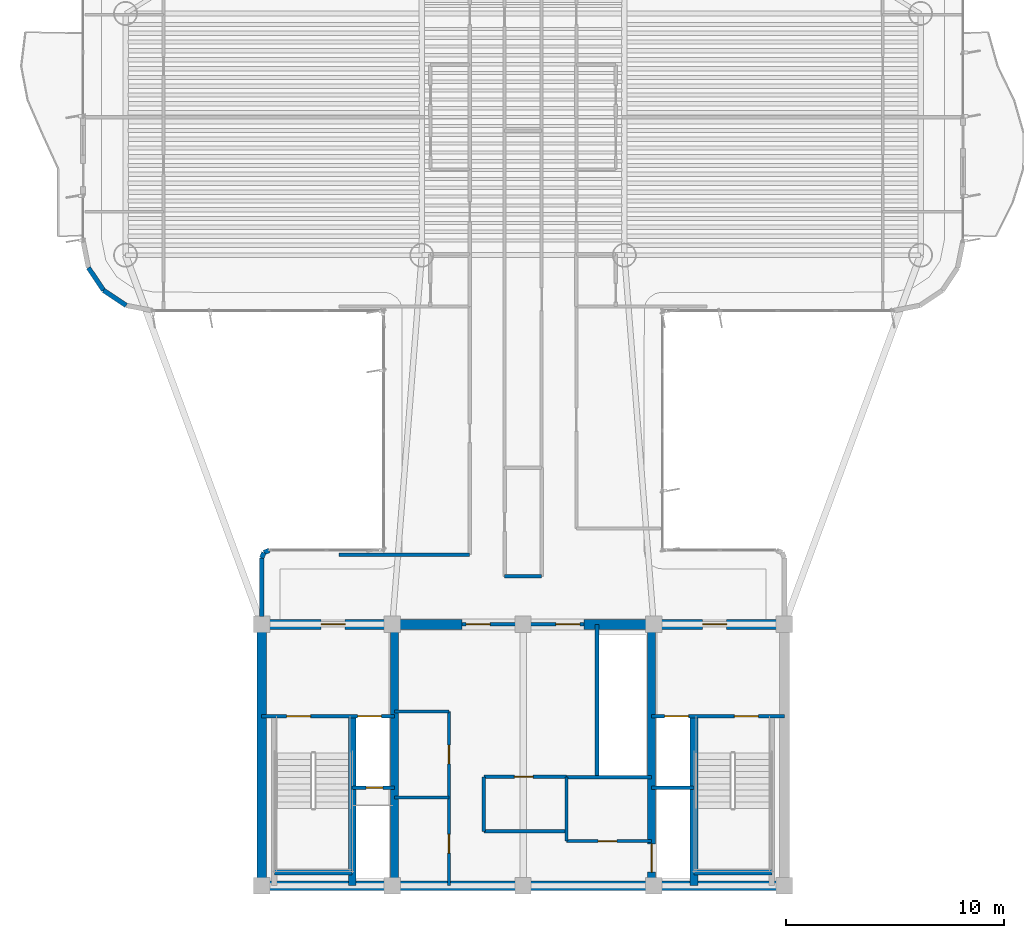
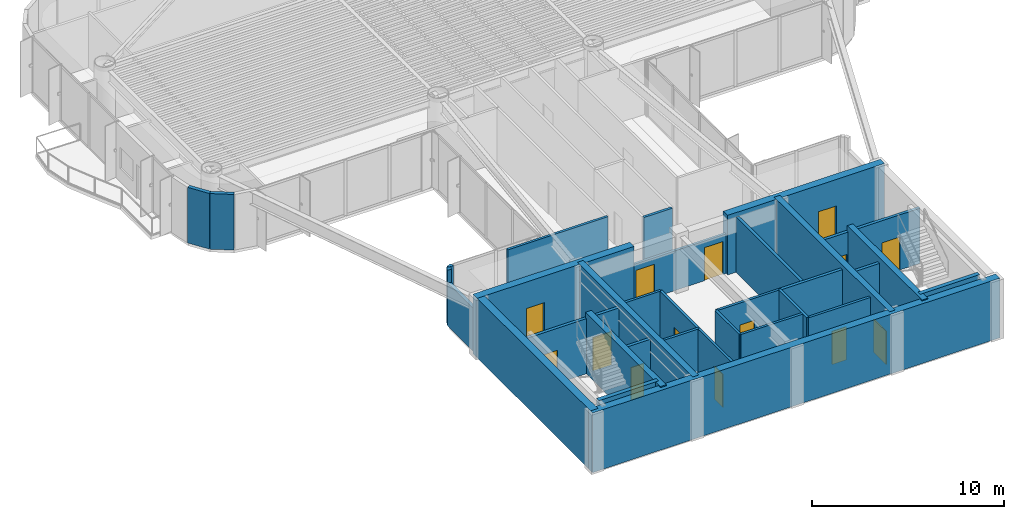
# One storey, part 9 of 15: 32 walls, 14 doors, 14 openings.
"""IFC4 building model written with IfcOpenShell, lengths in metres."""

import ifcopenshell
import ifcopenshell.guid

model = None  # the IFC model being written
_history = None  # IfcOwnerHistory: only IFC2X3 demands one
_inside = {}  # id of a spatial element -> (the spatial element, [elements in it])
_under = {}  # id of a project, library or spatial element -> (it, [spatial elements below it])
_declared = {}  # id of a project -> (the project, [libraries it declares])
_typed = {}  # id of a type object -> (the type object, [elements of that type])
_made_of = {}  # id of a material, layer set ... -> (it, [elements and type objects made of it])


def new_model(schema):
    """Start an empty IFC model of exactly this schema.

    Asked for "IFC4X3", IfcOpenShell would pick the latest addendum, in which some entities
    have other attributes; the version numbers below select the first issue.
    IFC2X3 requires an IfcOwnerHistory on every rooted entity: one is made here for all.
    """
    global model, _history
    if schema == "IFC4X3":
        model = ifcopenshell.file(schema_version=(4, 3, 0, 0))
    else:
        model = ifcopenshell.file(schema=schema)
    _inside.clear()
    _under.clear()
    _declared.clear()
    _typed.clear()
    _made_of.clear()
    _history = None
    if model.schema == "IFC2X3":
        org = make("IfcOrganization", Name="unknown")
        user = make(
            "IfcPersonAndOrganization",
            ThePerson=make("IfcPerson", FamilyName="unknown"),
            TheOrganization=org,
        )
        app = make(
            "IfcApplication",
            ApplicationDeveloper=org,
            Version="unknown",
            ApplicationFullName="unknown",
            ApplicationIdentifier="unknown",
        )
        _history = make(
            "IfcOwnerHistory",
            OwningUser=user,
            OwningApplication=app,
            ChangeAction="ADDED",
            CreationDate=0,
        )
    return model


def make(cls, **values):
    """One entity of the class cls with the attributes given. An attribute that is None is left unset."""
    return model.create_entity(
        cls, **{name: value for name, value in values.items() if value is not None}
    )


def rooted(cls, **values):
    """An entity with a GlobalId (a new one), such as an element, a storey or a relation."""
    return make(cls, GlobalId=ifcopenshell.guid.new(), OwnerHistory=_history, **values)


def si_unit(unit_type, name, prefix=None):
    """IfcSIUnit, for example si_unit("LENGTHUNIT", "METRE", prefix="MILLI")."""
    return make("IfcSIUnit", UnitType=unit_type, Prefix=prefix, Name=name)


def assignment(units):
    """IfcUnitAssignment: the units of a project."""
    return None if units is None else make("IfcUnitAssignment", Units=units)


def point(xyz):
    """IfcCartesianPoint."""
    return None if xyz is None else make("IfcCartesianPoint", Coordinates=xyz)


def direction(xyz):
    """IfcDirection."""
    return None if xyz is None else make("IfcDirection", DirectionRatios=xyz)


def frame(location, z_axis=None, x_axis=None):
    """IfcAxis2Placement3D, a coordinate frame: its origin and axes. An axis left out is left unset."""
    return make(
        "IfcAxis2Placement3D",
        Location=point(location),
        Axis=direction(z_axis),
        RefDirection=direction(x_axis),
    )


def frame_2d(location, x_axis=None):
    """IfcAxis2Placement2D, a coordinate frame in the plane: its origin and x axis."""
    return make(
        "IfcAxis2Placement2D", Location=point(location), RefDirection=direction(x_axis)
    )


def origin():
    """The frame at (0, 0, 0) with its axes left unset."""
    return frame((0.0, 0.0, 0.0))


def origin_2d():
    """The frame at (0, 0) in the plane with its x axis left unset."""
    return frame_2d((0.0, 0.0))


def place(relative_to, where):
    """IfcLocalPlacement: puts the frame where relative to a parent placement (None: the world)."""
    return make(
        "IfcLocalPlacement", PlacementRelTo=relative_to, RelativePlacement=where
    )


def context(
    kind, dimensions, precision=None, world=None, true_north=None, identifier=None
):
    """IfcGeometricRepresentationContext, for example the 3D "Model" context."""
    return make(
        "IfcGeometricRepresentationContext",
        ContextIdentifier=identifier,
        ContextType=kind,
        CoordinateSpaceDimension=dimensions,
        Precision=precision,
        WorldCoordinateSystem=world,
        TrueNorth=true_north,
    )


def subcontext(parent, identifier, kind, view, scale=None):
    """IfcGeometricRepresentationSubContext, for example "Body" below "Model"."""
    return make(
        "IfcGeometricRepresentationSubContext",
        ContextIdentifier=identifier,
        ContextType=kind,
        ParentContext=parent,
        TargetScale=scale,
        TargetView=view,
    )


def project(units=None, contexts=None):
    """IfcProject with its units and contexts."""
    return rooted(
        "IfcProject",
        Name="project",
        RepresentationContexts=contexts,
        UnitsInContext=assignment(units),
    )


def spatial(cls, under=None, at=None, **own):
    """A site, building, storey or space (cls), placed at a placement, below another one or the project."""
    s = rooted(cls, ObjectPlacement=at, **own)
    if under is not None:
        _under.setdefault(under.id(), (under, []))[1].append(s)
    return s


def profile(cls, at=None, kind="AREA", **sizes):
    """A parametric profile (cls). Its sizes go by their IFC names, for example OverallWidth=200.0."""
    return make(cls, ProfileType=kind, Position=at, **sizes)


def rectangle(**sizes):
    """IfcRectangleProfileDef."""
    return profile("IfcRectangleProfileDef", **sizes)


def extrude(swept, where, along, depth):
    """IfcExtrudedAreaSolid: the profile swept, set in the frame where, extruded along a direction by depth."""
    return make(
        "IfcExtrudedAreaSolid",
        SweptArea=swept,
        Position=where,
        ExtrudedDirection=direction(along),
        Depth=depth,
    )


def shape(context_of_items, identifier, shape_type, items):
    """IfcShapeRepresentation: the items that make up one representation, for example the "Body"."""
    return make(
        "IfcShapeRepresentation",
        ContextOfItems=context_of_items,
        RepresentationIdentifier=identifier,
        RepresentationType=shape_type,
        Items=items,
    )


def source(mapping_origin, context_of_items, identifier, shape_type, items):
    """IfcRepresentationMap: a shape defined once, which mapped items show again and again."""
    return make(
        "IfcRepresentationMap",
        MappingOrigin=mapping_origin,
        MappedRepresentation=shape(context_of_items, identifier, shape_type, items),
    )


def transform(
    local_origin,
    x_axis=None,
    y_axis=None,
    z_axis=None,
    scale=None,
    scale2=None,
    scale3=None,
    uniform=True,
):
    """IfcCartesianTransformationOperator3D, or its non-uniform kind. x_axis, y_axis, z_axis: its Axis1, 2, 3."""
    if uniform:
        return make(
            "IfcCartesianTransformationOperator3D",
            Axis1=direction(x_axis),
            Axis2=direction(y_axis),
            LocalOrigin=point(local_origin),
            Scale=scale,
            Axis3=direction(z_axis),
        )
    return make(
        "IfcCartesianTransformationOperator3DnonUniform",
        Axis1=direction(x_axis),
        Axis2=direction(y_axis),
        LocalOrigin=point(local_origin),
        Scale=scale,
        Axis3=direction(z_axis),
        Scale2=scale2,
        Scale3=scale3,
    )


def mapped(mapping_source, mapping_target):
    """IfcMappedItem: shows the shape of a source again, moved by a transform."""
    return make(
        "IfcMappedItem", MappingSource=mapping_source, MappingTarget=mapping_target
    )


def material(Name=None, Category=None):
    """IfcMaterial."""
    return make("IfcMaterial", Name=Name, Category=Category)


def layer(
    of_material, thickness, ventilated=None, Name=None, Category=None, Priority=None
):
    """IfcMaterialLayer: one layer of a wall or slab, of a material (None: an air gap)."""
    return make(
        "IfcMaterialLayer",
        Material=of_material,
        LayerThickness=thickness,
        IsVentilated=ventilated,
        Name=Name,
        Category=Category,
        Priority=Priority,
    )


def layer_set(layers, Name=None):
    """IfcMaterialLayerSet."""
    return make("IfcMaterialLayerSet", MaterialLayers=layers, LayerSetName=Name)


def made_of(thing, what):
    """Note that an element or type object is made of a material, layer set ...; save() writes the relation."""
    if what is not None:
        _made_of.setdefault(what.id(), (what, []))[1].append(thing)
    return thing


def type_object(cls, material=None, **own):
    """A type object (cls), such as IfcWallType, which elements share."""
    return made_of(rooted(cls, **own), material)


def element(
    cls,
    number,
    at=None,
    inside=None,
    cuts=None,
    type_object=None,
    material=None,
    context=None,
    identifier="Body",
    shape_type=None,
    held_by="IfcProductDefinitionShape",
    body=None,
    shapes=None,
    **own,
):
    """One element of the class cls, such as IfcWall. Its Tag is "e" and its number.

    at: its placement. inside: the storey or other place that contains it. cuts: it is an
    opening in that element (IfcRelVoidsElement). A single representation is given by context,
    identifier, shape_type and body (its items); several are given by shapes. held_by: the class
    of the entity that holds the representations. save() writes the other relations.
    """
    e = rooted(cls, Tag="e%d" % number, ObjectPlacement=at, **own)
    if body is not None:
        shapes = [shape(context, identifier, shape_type, body)]
    if shapes is not None:
        e.Representation = make(held_by, Representations=shapes)
    if inside is not None:
        _inside.setdefault(inside.id(), (inside, []))[1].append(e)
    if cuts is not None:
        rooted(
            "IfcRelVoidsElement", RelatingBuildingElement=cuts, RelatedOpeningElement=e
        )
    if type_object is not None:
        _typed.setdefault(type_object.id(), (type_object, []))[1].append(e)
    return made_of(e, material)


def fill(opening, filler):
    """IfcRelFillsElement: the door or window that sits in an opening."""
    return rooted(
        "IfcRelFillsElement",
        RelatingOpeningElement=opening,
        RelatedBuildingElement=filler,
    )


def aggregate(whole, parts):
    """IfcRelAggregates: a whole, such as a stair, and the parts it consists of."""
    return rooted("IfcRelAggregates", RelatingObject=whole, RelatedObjects=parts)


def save(model, path):
    """Write the relations noted so far, then the file.

    IfcRelAggregates (storeys below a building ...), IfcRelContainedInSpatialStructure (elements
    in a storey), IfcRelDefinesByType, IfcRelAssociatesMaterial and IfcRelDeclares: one each for
    every whole, place, type object, material and project.
    """
    for whole, parts in _under.values():
        aggregate(whole, parts)
    for where, things in _inside.values():
        rooted(
            "IfcRelContainedInSpatialStructure",
            RelatedElements=things,
            RelatingStructure=where,
        )
    for kind, things in _typed.values():
        rooted("IfcRelDefinesByType", RelatedObjects=things, RelatingType=kind)
    for what, things in _made_of.values():
        rooted("IfcRelAssociatesMaterial", RelatedObjects=things, RelatingMaterial=what)
    for by, libraries in _declared.values():
        rooted("IfcRelDeclares", RelatingContext=by, RelatedDefinitions=libraries)
    model.write(path)


model = new_model("IFC4")

# Units and contexts
model_context = context("Model", 3, precision=1e-05, world=origin(), true_north=direction((0.0, 1.0)))
body_context = subcontext(model_context, "Body", "Model", "MODEL_VIEW")
ifc_project = project(units=[si_unit("LENGTHUNIT", "METRE"), si_unit("AREAUNIT", "SQUARE_METRE"), si_unit("VOLUMEUNIT", "CUBIC_METRE"), si_unit("PLANEANGLEUNIT", "RADIAN"), si_unit("MASSUNIT", "GRAM", prefix="KILO")], contexts=[model_context])

# Site, building, storey
site_placement = place(None, origin())
site = spatial("IfcSite", under=ifc_project, at=site_placement, CompositionType="ELEMENT")
building_placement = place(site_placement, origin())
building = spatial("IfcBuilding", under=site, at=building_placement, Name="Brelvock Crest Care Tower", CompositionType="ELEMENT")
storey_placement = place(building_placement, frame((0.0, 0.0, 163.97998046875)))
storey = spatial("IfcBuildingStorey", under=building, at=storey_placement, Name="L41", CompositionType="ELEMENT", Elevation=163.97998046875)

# Walls
ifc_material_1 = material(Name="Concrete S65 (65 MPa)", Category="concrete")
ifc_layer_1 = layer(ifc_material_1, 0.449951171875, Name="WL-CS3")
ifc_layer_set_1 = layer_set([ifc_layer_1], Name="Concrete S65 (65 MPa)")
wall_type_1 = type_object("IfcWallType", Name="WL-CS3", PredefinedType="SHEAR", material=ifc_layer_set_1)
wall_1_placement = place(storey_placement, frame((48.22509765625, 6.0, 0.0), z_axis=(0.0, 0.0, 1.0), x_axis=(-1.0, 0.0, 0.0)))
element("IfcWall", 1, at=wall_1_placement, inside=storey, type_object=wall_type_1, Name="L41 Core South Shear Wall", PredefinedType="SHEAR", context=body_context, shape_type="SweptSolid", body=[
    extrude(rectangle(XDim=24.4501953125, YDim=0.449951171875, at=frame_2d((12.22509765625, 0.0))), origin(), (0.0, 0.0, 1.0), 3.780029296875),
])
wall_2_placement = place(storey_placement, frame((24.0, 6.0, 0.0), z_axis=(0.0, 0.0, 1.0), x_axis=(0.0, 1.0, 0.0)))
element("IfcWall", 2, at=wall_2_placement, inside=storey, type_object=wall_type_1, Name="L41 Core West Shear Wall", PredefinedType="SHEAR", context=body_context, shape_type="SweptSolid", body=[
    extrude(rectangle(XDim=12.0, YDim=0.449951171875, at=frame_2d((6.0, 0.0))), origin(), (0.0, 0.0, 1.0), 3.780029296875),
])

# Wall, opening, door
wall_3_placement = place(storey_placement, frame((23.77490234375, 18.0, 0.0), z_axis=(0.0, 0.0, 1.0), x_axis=(1.0, 0.0, 0.0)))
wall_3 = element("IfcWall", 3, at=wall_3_placement, inside=storey, type_object=wall_type_1, Name="L41 Core North-West Shear Wall", PredefinedType="SHEAR", context=body_context, shape_type="SweptSolid", body=[
    extrude(rectangle(XDim=9.425048828125, YDim=0.449951171875, at=frame_2d((4.71240234375, 0.0))), origin(), (0.0, 0.0, 1.0), 3.780029296875),
])
opening_1_placement = place(wall_3_placement, frame((2.949951171875, 0.0, 0.0)))
opening_1 = element("IfcOpeningElement", 4, at=opening_1_placement, cuts=wall_3, Name="Opening FD-1", PredefinedType="OPENING", context=body_context, shape_type="SweptSolid", body=[
    extrude(rectangle(XDim=1.10009765625, YDim=2.10009765625, at=origin_2d()), frame((0.550048828125, 0.23486328125, 1.050048828125), z_axis=(0.0, -1.0, 0.0), x_axis=(1.0, 0.0, 0.0)), (0.0, 0.0, 1.0), 0.469970703125),
])
ifc_material_2 = material(Name="Steel Grade 350", Category="steel")
door_type_1 = type_object("IfcDoorType", Name="DR-FFL1", OperationType="NOTDEFINED", PredefinedType="DOOR", material=ifc_material_2)
shared_shape_1 = source(origin(), body_context, "Body", "SweptSolid", [
    extrude(rectangle(XDim=1.10009765625, YDim=2.10009765625, at=origin_2d()), frame((0.550048828125, 0.02490234375, 1.050048828125), z_axis=(0.0, -1.0, 0.0), x_axis=(1.0, 0.0, 0.0)), (0.0, 0.0, 1.0), 0.050048828125),
])
door_1_placement = place(opening_1_placement, origin())
door_1 = element("IfcDoor", 5, at=door_1_placement, inside=storey, type_object=door_type_1, Name="L41 Firefighting Lobby FFL-1 Exit Door", OperationType="SINGLE_SWING_LEFT", OverallHeight=2.10009765625, OverallWidth=1.10009765625, PredefinedType="DOOR", context=body_context, shape_type="MappedRepresentation", body=[
    mapped(shared_shape_1, transform((0.0, 0.0, 0.0), x_axis=(1.0, 0.0, 0.0), y_axis=(0.0, 1.0, 0.0), z_axis=(0.0, 0.0, 1.0), scale=1.0)),
])
fill(opening_1, door_1)

wall_4_placement = place(storey_placement, frame((38.800048828125, 18.0, 0.0), z_axis=(0.0, 0.0, 1.0), x_axis=(1.0, 0.0, 0.0)))
wall_4 = element("IfcWall", 6, at=wall_4_placement, inside=storey, type_object=wall_type_1, Name="L41 Core North-East Shear Wall", PredefinedType="SHEAR", context=body_context, shape_type="SweptSolid", body=[
    extrude(rectangle(XDim=9.425048828125, YDim=0.449951171875, at=frame_2d((4.71240234375, 0.0))), origin(), (0.0, 0.0, 1.0), 3.780029296875),
])
opening_2_placement = place(wall_4_placement, frame((5.449951171875, 0.0, 0.0)))
opening_2 = element("IfcOpeningElement", 7, at=opening_2_placement, cuts=wall_4, Name="Opening FD-1", PredefinedType="OPENING", context=body_context, shape_type="SweptSolid", body=[
    extrude(rectangle(XDim=1.10009765625, YDim=2.10009765625, at=origin_2d()), frame((0.550048828125, 0.23486328125, 1.050048828125), z_axis=(0.0, -1.0, 0.0), x_axis=(1.0, 0.0, 0.0)), (0.0, 0.0, 1.0), 0.469970703125),
])
door_2_placement = place(opening_2_placement, origin())
door_2 = element("IfcDoor", 8, at=door_2_placement, inside=storey, type_object=door_type_1, Name="L41 Firefighting Lobby FFL-2 Exit Door", OperationType="SINGLE_SWING_RIGHT", OverallHeight=2.10009765625, OverallWidth=1.10009765625, PredefinedType="DOOR", context=body_context, shape_type="MappedRepresentation", body=[
    mapped(shared_shape_1, transform((0.0, 0.0, 0.0), x_axis=(1.0, 0.0, 0.0), y_axis=(0.0, 1.0, 0.0), z_axis=(0.0, 0.0, 1.0), scale=1.0)),
])
fill(opening_2, door_2)

# Wall
ifc_material_3 = material(Name="Concrete S80 (80 MPa)", Category="concrete")
ifc_layer_2 = layer(ifc_material_3, 0.35009765625, Name="WL-CS5")
ifc_layer_set_2 = layer_set([ifc_layer_2], Name="Concrete S80 (80 MPa)")
wall_type_2 = type_object("IfcWallType", Name="WL-CS5", PredefinedType="SHEAR", material=ifc_layer_set_2)
wall_5_placement = place(storey_placement, frame((30.10009765625, 6.0, 0.0), z_axis=(0.0, 0.0, 1.0), x_axis=(0.0, 1.0, 0.0)))
element("IfcWall", 9, at=wall_5_placement, inside=storey, type_object=wall_type_2, Name="L41 Core Internal Web Wall West", PredefinedType="SHEAR", context=body_context, shape_type="SweptSolid", body=[
    extrude(rectangle(XDim=12.0, YDim=0.35009765625, at=frame_2d((6.0, 0.0))), origin(), (0.0, 0.0, 1.0), 3.780029296875),
])

# Wall, opening, door
wall_6_placement = place(storey_placement, frame((41.89990234375, 18.0, 0.0), z_axis=(0.0, 0.0, 1.0), x_axis=(0.0, -1.0, 0.0)))
wall_6 = element("IfcWall", 10, at=wall_6_placement, inside=storey, type_object=wall_type_2, Name="L41 Core Internal Web Wall East", PredefinedType="SHEAR", context=body_context, shape_type="SweptSolid", body=[
    extrude(rectangle(XDim=12.0, YDim=0.35009765625, at=frame_2d((6.0, 0.0))), origin(), (0.0, 0.0, 1.0), 3.780029296875),
])
opening_3_placement = place(wall_6_placement, frame((10.080078125, 0.0, 0.0)))
opening_3 = element("IfcOpeningElement", 11, at=opening_3_placement, cuts=wall_6, Name="Opening LD-S", PredefinedType="OPENING", context=body_context, shape_type="SweptSolid", body=[
    extrude(rectangle(XDim=1.300048828125, YDim=2.10009765625, at=origin_2d()), frame((0.64990234375, 0.18505859375, 1.050048828125), z_axis=(0.0, -1.0, 0.0), x_axis=(1.0, 0.0, 0.0)), (0.0, 0.0, 1.0), 0.3701171875),
])
door_type_2 = type_object("IfcDoorType", Name="DR-LDS1", OperationType="NOTDEFINED", PredefinedType="DOOR", material=ifc_material_2)
shared_shape_2 = source(origin(), body_context, "Body", "SweptSolid", [
    extrude(rectangle(XDim=1.300048828125, YDim=2.10009765625, at=origin_2d()), frame((0.64990234375, 0.02490234375, 1.050048828125), z_axis=(0.0, -1.0, 0.0), x_axis=(1.0, 0.0, 0.0)), (0.0, 0.0, 1.0), 0.050048828125),
])
door_3_placement = place(opening_3_placement, origin())
door_3 = element("IfcDoor", 12, at=door_3_placement, inside=storey, type_object=door_type_2, Name="L41 Clinical Bed Lift SL-1 Landing Door", OperationType="SLIDING_TO_LEFT", OverallHeight=2.10009765625, OverallWidth=1.300048828125, PredefinedType="DOOR", context=body_context, shape_type="MappedRepresentation", body=[
    mapped(shared_shape_2, transform((0.0, 0.0, 0.0), x_axis=(1.0, 0.0, 0.0), y_axis=(0.0, 1.0, 0.0), z_axis=(0.0, 0.0, 1.0), scale=1.0)),
])
fill(opening_3, door_3)

# Walls
for number, where, z_axis, x_axis, name in (
    (13, (28.14990234375, 6.0, 0.0), (0.0, 0.0, 1.0), (0.0, 1.0, 0.0), "L41 Core Stair ST-1 East Shear Wall"),
    (14, (43.85009765625, 6.0, 0.0), (0.0, 0.0, 1.0), (0.0, 1.0, 0.0), "L41 Core Stair ST-2 West Shear Wall"),
):
    element("IfcWall", number, at=place(storey_placement, frame(where, z_axis=z_axis, x_axis=x_axis)), inside=storey, type_object=wall_type_2, Name=name, PredefinedType="SHEAR", context=body_context, shape_type="SweptSolid", body=[
        extrude(rectangle(XDim=7.780029296875, YDim=0.35009765625, at=frame_2d((3.89013671875, 0.0))), origin(), (0.0, 0.0, 1.0), 3.85009765625),
    ])
ifc_layer_3 = layer(ifc_material_3, 0.25, Name="WL-CS6")
ifc_layer_set_3 = layer_set([ifc_layer_3], Name="Concrete S80 (80 MPa)")
wall_type_3 = type_object("IfcWallType", Name="WL-CS6", PredefinedType="SHEAR", material=ifc_layer_set_3)
for number, where, z_axis, x_axis, name in (
    (15, (24.580078125, 6.6201171875, 0.0), (0.0, 0.0, 1.0), (1.0, 0.0, 0.0), "L41 Core Stair ST-1 South Shear Wall"),
    (16, (43.85009765625, 6.6201171875, 0.0), (0.0, 0.0, 1.0), (1.0, 0.0, 0.0), "L41 Core Stair ST-2 South Shear Wall"),
):
    element("IfcWall", number, at=place(storey_placement, frame(where, z_axis=z_axis, x_axis=x_axis)), inside=storey, type_object=wall_type_3, Name=name, PredefinedType="SHEAR", context=body_context, shape_type="SweptSolid", body=[
        extrude(rectangle(XDim=3.56982421875, YDim=0.25, at=frame_2d((1.784912109375, 0.0))), origin(), (0.0, 0.0, 1.0), 3.85009765625),
    ])
ifc_material_4 = material(Name="Precast concrete N40 (40 MPa)", Category="concrete")
ifc_layer_4 = layer(ifc_material_4, 0.215087890625, Name="WL-EX2")
ifc_layer_set_4 = layer_set([ifc_layer_4], Name="Precast concrete N40 (40 MPa)")
wall_type_4 = type_object("IfcWallType", Name="WL-EX2", PredefinedType="SOLIDWALL", material=ifc_layer_set_4)
wall_7_placement = place(storey_placement, frame((24.0, 18.35498046875, 0.0), z_axis=(0.0, 0.0, 1.0), x_axis=(0.0, 1.0, 0.0)))
element("IfcWall", 17, at=wall_7_placement, inside=storey, type_object=wall_type_4, Name="L41 Rounded Corner Wall 07", PredefinedType="SOLIDWALL", context=body_context, shape_type="SweptSolid", body=[
    extrude(rectangle(XDim=2.695068359375, YDim=0.215087890625, at=frame_2d((1.34765625, 0.0))), origin(), (0.0, 0.0, 1.0), 2.718017578125),
])
wall_8_placement = place(storey_placement, frame((24.0, 21.050048828125, 0.0), z_axis=(0.0, 0.0, 1.0), x_axis=(0.382673670509, 0.923883575944, 0.0)))
element("IfcWall", 18, at=wall_8_placement, inside=storey, type_object=wall_type_4, Name="L41 Rounded Corner Wall 08", PredefinedType="SOLIDWALL", context=body_context, shape_type="SweptSolid", body=[
    extrude(rectangle(XDim=0.26806640625, YDim=0.215087890625, at=frame_2d((0.134033203125, 0.0))), origin(), (0.0, 0.0, 1.0), 3.530029296875),
])
wall_9_placement = place(storey_placement, frame((24.1025390625, 21.297607421875, 0.0), z_axis=(0.0, 0.0, 1.0), x_axis=(0.924205486139, 0.381895560841, 0.0)))
element("IfcWall", 19, at=wall_9_placement, inside=storey, type_object=wall_type_4, Name="L41 Rounded Corner Wall 09", PredefinedType="SOLIDWALL", context=body_context, shape_type="SweptSolid", body=[
    extrude(rectangle(XDim=0.267822265625, YDim=0.215087890625, at=frame_2d((0.1337890625, 0.0))), origin(), (0.0, 0.0, 1.0), 3.530029296875),
])
for number, where, z_axis, x_axis, name in (
    (20, (17.775390625, 32.6435546875, 0.0), (0.0, 0.0, 1.0), (-0.831387912822, 0.555692485475, 0.0), "L41 Rounded Corner Wall 14"),
    (21, (16.7373046875, 33.33740234375, 0.0), (0.0, 0.0, 1.0), (-0.555557312883, 0.831478245117, 0.0), "L41 Rounded Corner Wall 15"),
):
    element("IfcWall", number, at=place(storey_placement, frame(where, z_axis=z_axis, x_axis=x_axis)), inside=storey, type_object=wall_type_4, Name=name, PredefinedType="SOLIDWALL", context=body_context, shape_type="SweptSolid", body=[
        extrude(rectangle(XDim=1.24853515625, YDim=0.215087890625, at=frame_2d((0.624267578125, 0.0))), origin(), (0.0, 0.0, 1.0), 3.530029296875),
    ])
ifc_material_5 = material(Name="Masonry Blockwork Acoustic Partition", Category="masonry")
ifc_layer_5 = layer(ifc_material_5, 0.14990234375, Name="WL-INT1")
ifc_layer_set_5 = layer_set([ifc_layer_5], Name="Masonry Blockwork Acoustic Partition")
wall_type_5 = type_object("IfcWallType", Name="WL-INT1", PredefinedType="PARTITIONING", material=ifc_layer_set_5)
wall_10_placement = place(storey_placement, frame((30.10009765625, 14.0, 0.0), z_axis=(0.0, 0.0, 1.0), x_axis=(1.0, 0.0, 0.0)))
element("IfcWall", 22, at=wall_10_placement, inside=storey, type_object=wall_type_5, Name="L41 Interior Wall WL-CRCL-N1-L41", PredefinedType="PARTITIONING", context=body_context, shape_type="SweptSolid", body=[
    extrude(rectangle(XDim=2.5, YDim=0.14990234375, at=frame_2d((1.25, 0.0))), origin(), (0.0, 0.0, 1.0), 3.5),
])
wall_11_placement = place(storey_placement, frame((34.199951171875, 8.5, 0.0), z_axis=(0.0, 0.0, 1.0), x_axis=(1.0, 0.0, 0.0)))
element("IfcWall", 23, at=wall_11_placement, inside=storey, type_object=wall_type_5, Name="L41 Interior Wall WL-CRCM-SW-L41", PredefinedType="PARTITIONING", context=body_context, shape_type="SweptSolid", body=[
    extrude(rectangle(XDim=3.800048828125, YDim=0.14990234375, at=frame_2d((1.89990234375, 0.0))), origin(), (0.0, 0.0, 1.0), 3.5),
])

# Wall, opening, door
wall_12_placement = place(storey_placement, frame((38.0, 8.050048828125, 0.0), z_axis=(0.0, 0.0, 1.0), x_axis=(1.0, 0.0, 0.0)))
wall_12 = element("IfcWall", 24, at=wall_12_placement, inside=storey, type_object=wall_type_5, Name="L41 Interior Wall WL-CRCM-SE-L41", PredefinedType="PARTITIONING", context=body_context, shape_type="SweptSolid", body=[
    extrude(rectangle(XDim=3.89990234375, YDim=0.14990234375, at=frame_2d((1.949951171875, 0.0))), origin(), (0.0, 0.0, 1.0), 3.5),
])
opening_4_placement = place(wall_12_placement, frame((1.449951171875, 0.0, 0.0)))
opening_4 = element("IfcOpeningElement", 25, at=opening_4_placement, cuts=wall_12, Name="Opening ID-1", PredefinedType="OPENING", context=body_context, shape_type="SweptSolid", body=[
    extrude(rectangle(XDim=0.860107421875, YDim=2.10009765625, at=origin_2d()), frame((0.43017578125, 0.0849609375, 1.050048828125), z_axis=(0.0, -1.0, 0.0), x_axis=(1.0, 0.0, 0.0)), (0.0, 0.0, 1.0), 0.169921875),
])
ifc_material_6 = material(Name="Engineered Hardwood Timber", Category="wood")
door_type_3 = type_object("IfcDoorType", Name="DR-INT1", OperationType="NOTDEFINED", PredefinedType="DOOR", material=ifc_material_6)
shared_shape_3 = source(origin(), body_context, "Body", "SweptSolid", [
    extrude(rectangle(XDim=0.860107421875, YDim=2.10009765625, at=origin_2d()), frame((0.43017578125, 0.02490234375, 1.050048828125), z_axis=(0.0, -1.0, 0.0), x_axis=(1.0, 0.0, 0.0)), (0.0, 0.0, 1.0), 0.050048828125),
])
door_4_placement = place(opening_4_placement, origin())
door_4 = element("IfcDoor", 26, at=door_4_placement, inside=storey, type_object=door_type_3, Name="DR-CRCM2-L41", OperationType="SINGLE_SWING_LEFT", OverallHeight=2.10009765625, OverallWidth=0.860107421875, PredefinedType="DOOR", context=body_context, shape_type="MappedRepresentation", body=[
    mapped(shared_shape_3, transform((0.0, 0.0, 0.0), x_axis=(1.0, 0.0, 0.0), y_axis=(0.0, 1.0, 0.0), z_axis=(0.0, 0.0, 1.0), scale=1.0)),
])
fill(opening_4, door_4)

# Walls
wall_13_placement = place(storey_placement, frame((34.199951171875, 8.5, 0.0), z_axis=(0.0, 0.0, 1.0), x_axis=(0.0, 1.0, 0.0)))
element("IfcWall", 27, at=wall_13_placement, inside=storey, type_object=wall_type_5, Name="L41 Interior Wall WL-CRCM-W-L41", PredefinedType="PARTITIONING", context=body_context, shape_type="SweptSolid", body=[
    extrude(rectangle(XDim=2.5, YDim=0.14990234375, at=frame_2d((1.25, 0.0))), origin(), (0.0, 0.0, 1.0), 3.5),
])
wall_14_placement = place(storey_placement, frame((38.0, 8.050048828125, 0.0), z_axis=(0.0, 0.0, 1.0), x_axis=(0.0, 1.0, 0.0)))
element("IfcWall", 28, at=wall_14_placement, inside=storey, type_object=wall_type_5, Name="L41 Interior Wall WL-CRCM-V-L41", PredefinedType="PARTITIONING", context=body_context, shape_type="SweptSolid", body=[
    extrude(rectangle(XDim=2.949951171875, YDim=0.14990234375, at=frame_2d((1.47509765625, 0.0))), origin(), (0.0, 0.0, 1.0), 3.5),
])

# Wall, opening, door
wall_15_placement = place(storey_placement, frame((34.199951171875, 11.0, 0.0), z_axis=(0.0, 0.0, 1.0), x_axis=(1.0, 0.0, 0.0)))
wall_15 = element("IfcWall", 29, at=wall_15_placement, inside=storey, type_object=wall_type_5, Name="L41 Interior Wall WL-CRCM-NW-L41", PredefinedType="PARTITIONING", context=body_context, shape_type="SweptSolid", body=[
    extrude(rectangle(XDim=3.800048828125, YDim=0.14990234375, at=frame_2d((1.89990234375, 0.0))), origin(), (0.0, 0.0, 1.0), 3.5),
])
opening_5_placement = place(wall_15_placement, frame((1.39990234375, 0.0, 0.0)))
opening_5 = element("IfcOpeningElement", 30, at=opening_5_placement, cuts=wall_15, Name="Opening ID-1", PredefinedType="OPENING", context=body_context, shape_type="SweptSolid", body=[
    extrude(rectangle(XDim=0.860107421875, YDim=2.10009765625, at=origin_2d()), frame((0.43017578125, 0.0849609375, 1.050048828125), z_axis=(0.0, -1.0, 0.0), x_axis=(1.0, 0.0, 0.0)), (0.0, 0.0, 1.0), 0.169921875),
])
door_5_placement = place(opening_5_placement, origin())
door_5 = element("IfcDoor", 31, at=door_5_placement, inside=storey, type_object=door_type_3, Name="DR-CRCM1-L41", OperationType="SINGLE_SWING_LEFT", OverallHeight=2.10009765625, OverallWidth=0.860107421875, PredefinedType="DOOR", context=body_context, shape_type="MappedRepresentation", body=[
    mapped(shared_shape_3, transform((0.0, 0.0, 0.0), x_axis=(1.0, 0.0, 0.0), y_axis=(0.0, 1.0, 0.0), z_axis=(0.0, 0.0, 1.0), scale=1.0)),
])
fill(opening_5, door_5)

# Wall
wall_16_placement = place(storey_placement, frame((30.10009765625, 10.050048828125, 0.0), z_axis=(0.0, 0.0, 1.0), x_axis=(1.0, 0.0, 0.0)))
element("IfcWall", 32, at=wall_16_placement, inside=storey, type_object=wall_type_5, Name="L41 Interior Wall WL-CSBW-S1-L41", PredefinedType="PARTITIONING", context=body_context, shape_type="SweptSolid", body=[
    extrude(rectangle(XDim=2.5, YDim=0.14990234375, at=frame_2d((1.25, 0.0))), origin(), (0.0, 0.0, 1.0), 3.5),
])

# Wall, openings, doors
wall_17_placement = place(storey_placement, frame((32.60009765625, 6.0, 0.0), z_axis=(0.0, 0.0, 1.0), x_axis=(0.0, 1.0, 0.0)))
wall_17 = element("IfcWall", 33, at=wall_17_placement, inside=storey, type_object=wall_type_5, Name="L41 Interior Wall WL-CRCL-E-L41", PredefinedType="PARTITIONING", context=body_context, shape_type="SweptSolid", body=[
    extrude(rectangle(XDim=8.0, YDim=0.14990234375, at=frame_2d((4.0, 0.0))), origin(), (0.0, 0.0, 1.0), 3.5),
])
opening_6_placement = place(wall_17_placement, frame((1.5, 0.0, 0.0)))
opening_6 = element("IfcOpeningElement", 34, at=opening_6_placement, cuts=wall_17, Name="Opening ID-1", PredefinedType="OPENING", context=body_context, shape_type="SweptSolid", body=[
    extrude(rectangle(XDim=0.860107421875, YDim=2.10009765625, at=origin_2d()), frame((0.43017578125, 0.0849609375, 1.050048828125), z_axis=(0.0, -1.0, 0.0), x_axis=(1.0, 0.0, 0.0)), (0.0, 0.0, 1.0), 0.169921875),
])
opening_7_placement = place(wall_17_placement, frame((5.60009765625, 0.0, 0.0)))
opening_7 = element("IfcOpeningElement", 35, at=opening_7_placement, cuts=wall_17, Name="Opening ID-1", PredefinedType="OPENING", context=body_context, shape_type="SweptSolid", body=[
    extrude(rectangle(XDim=0.860107421875, YDim=2.10009765625, at=origin_2d()), frame((0.43017578125, 0.0849609375, 1.050048828125), z_axis=(0.0, -1.0, 0.0), x_axis=(1.0, 0.0, 0.0)), (0.0, 0.0, 1.0), 0.169921875),
])
door_6_placement = place(opening_6_placement, origin())
door_6 = element("IfcDoor", 36, at=door_6_placement, inside=storey, type_object=door_type_3, Name="DR-CSBW-L41", OperationType="SINGLE_SWING_LEFT", OverallHeight=2.10009765625, OverallWidth=0.860107421875, PredefinedType="DOOR", context=body_context, shape_type="MappedRepresentation", body=[
    mapped(shared_shape_3, transform((0.0, 0.0, 0.0), x_axis=(1.0, 0.0, 0.0), y_axis=(0.0, 1.0, 0.0), z_axis=(0.0, 0.0, 1.0), scale=1.0)),
])
fill(opening_6, door_6)
door_7_placement = place(opening_7_placement, origin())
door_7 = element("IfcDoor", 37, at=door_7_placement, inside=storey, type_object=door_type_3, Name="DR-CRCL1-L41", OperationType="SINGLE_SWING_LEFT", OverallHeight=2.10009765625, OverallWidth=0.860107421875, PredefinedType="DOOR", context=body_context, shape_type="MappedRepresentation", body=[
    mapped(shared_shape_3, transform((0.0, 0.0, 0.0), x_axis=(1.0, 0.0, 0.0), y_axis=(0.0, 1.0, 0.0), z_axis=(0.0, 0.0, 1.0), scale=1.0)),
])
fill(opening_7, door_7)

wall_18_placement = place(storey_placement, frame((33.199951171875, 18.0, 0.0), z_axis=(0.0, 0.0, 1.0), x_axis=(1.0, 0.0, 0.0)))
wall_18 = element("IfcWall", 38, at=wall_18_placement, inside=storey, type_object=wall_type_5, Name="L41 Interior Wall WL-CORE-NPORT-L41", PredefinedType="PARTITIONING", context=body_context, shape_type="SweptSolid", body=[
    extrude(rectangle(XDim=5.60009765625, YDim=0.14990234375, at=frame_2d((2.800048828125, 0.0))), origin(), (0.0, 0.0, 1.0), 2.51513671875),
])
opening_8_placement = place(wall_18_placement, frame((0.18994140625, 0.0, 0.0)))
opening_8 = element("IfcOpeningElement", 39, at=opening_8_placement, cuts=wall_18, Name="Opening FD-1", PredefinedType="OPENING", context=body_context, shape_type="SweptSolid", body=[
    extrude(rectangle(XDim=1.10009765625, YDim=2.10009765625, at=origin_2d()), frame((0.550048828125, 0.0849609375, 1.050048828125), z_axis=(0.0, -1.0, 0.0), x_axis=(1.0, 0.0, 0.0)), (0.0, 0.0, 1.0), 0.169921875),
])
opening_9_placement = place(wall_18_placement, frame((4.31005859375, 0.0, 0.0)))
opening_9 = element("IfcOpeningElement", 40, at=opening_9_placement, cuts=wall_18, Name="Opening FD-1", PredefinedType="OPENING", context=body_context, shape_type="SweptSolid", body=[
    extrude(rectangle(XDim=1.10009765625, YDim=2.10009765625, at=origin_2d()), frame((0.550048828125, 0.0849609375, 1.050048828125), z_axis=(0.0, -1.0, 0.0), x_axis=(1.0, 0.0, 0.0)), (0.0, 0.0, 1.0), 0.169921875),
])
door_8_placement = place(opening_8_placement, origin())
door_8 = element("IfcDoor", 41, at=door_8_placement, inside=storey, type_object=door_type_1, Name="L41 Lift Lobby North Smoke Door West", OperationType="SINGLE_SWING_LEFT", OverallHeight=2.10009765625, OverallWidth=1.10009765625, PredefinedType="DOOR", context=body_context, shape_type="MappedRepresentation", body=[
    mapped(shared_shape_1, transform((0.0, 0.0, 0.0), x_axis=(1.0, 0.0, 0.0), y_axis=(0.0, 1.0, 0.0), z_axis=(0.0, 0.0, 1.0), scale=1.0)),
])
fill(opening_8, door_8)
door_9_placement = place(opening_9_placement, origin())
door_9 = element("IfcDoor", 42, at=door_9_placement, inside=storey, type_object=door_type_1, Name="L41 Lift Lobby North Smoke Door East", OperationType="SINGLE_SWING_RIGHT", OverallHeight=2.10009765625, OverallWidth=1.10009765625, PredefinedType="DOOR", context=body_context, shape_type="MappedRepresentation", body=[
    mapped(shared_shape_1, transform((0.0, 0.0, 0.0), x_axis=(1.0, 0.0, 0.0), y_axis=(0.0, 1.0, 0.0), z_axis=(0.0, 0.0, 1.0), scale=1.0)),
])
fill(opening_9, door_9)

# Walls
wall_19_placement = place(storey_placement, frame((27.5576171875, 21.199951171875, 0.0), z_axis=(0.0, 0.0, 1.0), x_axis=(1.0, 0.0, 0.0)))
element("IfcWall", 43, at=wall_19_placement, inside=storey, type_object=wall_type_5, Name="L41 Interior Wall WL-BX-L41-THRW-S", PredefinedType="PARTITIONING", context=body_context, shape_type="SweptSolid", body=[
    extrude(rectangle(XDim=5.992431640625, YDim=0.14990234375, at=frame_2d((2.99609375, 0.0))), origin(), (0.0, 0.0, 1.0), 3.5),
])
ifc_material_7 = material(Name="Gypsum Plasterboard Partition", Category="gypsum")
ifc_layer_6 = layer(ifc_material_7, 0.159912109375, Name="WL-PLM1")
ifc_layer_set_6 = layer_set([ifc_layer_6], Name="Gypsum Plasterboard Partition")
wall_type_6 = type_object("IfcWallType", Name="WL-PLM1", PredefinedType="PLUMBINGWALL", material=ifc_layer_set_6)
wall_20_placement = place(storey_placement, frame((35.14990234375, 20.199951171875, 0.0), z_axis=(0.0, 0.0, 1.0), x_axis=(1.0, 0.0, 0.0)))
element("IfcWall", 44, at=wall_20_placement, inside=storey, type_object=wall_type_6, Name="L41 Interior Wall WL-BX-L41-ISWC-S", PredefinedType="PLUMBINGWALL", context=body_context, shape_type="SweptSolid", body=[
    extrude(rectangle(XDim=1.7001953125, YDim=0.159912109375, at=frame_2d((0.85009765625, 0.0))), origin(), (0.0, 0.0, 1.0), 3.5),
])
ifc_layer_7 = layer(ifc_material_5, 0.179931640625, Name="WL-SHF1")
ifc_layer_set_7 = layer_set([ifc_layer_7], Name="Masonry Blockwork Acoustic Partition")
wall_type_7 = type_object("IfcWallType", Name="WL-SHF1", PredefinedType="PARTITIONING", material=ifc_layer_set_7)
wall_21_placement = place(storey_placement, frame((38.0, 10.97998046875, 0.0), z_axis=(0.0, 0.0, 1.0), x_axis=(1.0, 0.0, 0.0)))
element("IfcWall", 45, at=wall_21_placement, inside=storey, type_object=wall_type_7, Name="L41 Interior Wall WL-CRCM-NE-L41", PredefinedType="PARTITIONING", context=body_context, shape_type="SweptSolid", body=[
    extrude(rectangle(XDim=3.89990234375, YDim=0.179931640625, at=frame_2d((1.949951171875, 0.0))), origin(), (0.0, 0.0, 1.0), 3.5),
])
wall_22_placement = place(storey_placement, frame((39.39990234375, 11.0, 0.0), z_axis=(0.0, 0.0, 1.0), x_axis=(0.0, 1.0, 0.0)))
element("IfcWall", 46, at=wall_22_placement, inside=storey, type_object=wall_type_7, Name="L41 Interior Wall WL-PLH-SHF-L41", PredefinedType="PARTITIONING", context=body_context, shape_type="SweptSolid", body=[
    extrude(rectangle(XDim=7.0, YDim=0.179931640625, at=frame_2d((3.5, 0.0))), origin(), (0.0, 0.0, 1.0), 3.5),
])

# Wall, openings, doors
wall_23_placement = place(storey_placement, frame((24.0, 13.780029296875, 0.0), z_axis=(0.0, 0.0, 1.0), x_axis=(1.0, 0.0, 0.0)))
wall_23 = element("IfcWall", 47, at=wall_23_placement, inside=storey, type_object=wall_type_7, Name="L41 Interior Wall WL-ST1-N-L41", PredefinedType="PARTITIONING", context=body_context, shape_type="SweptSolid", body=[
    extrude(rectangle(XDim=6.10009765625, YDim=0.179931640625, at=frame_2d((3.050048828125, 0.0))), origin(), (0.0, 0.0, 1.0), 3.5),
])
opening_10_placement = place(wall_23_placement, frame((1.14990234375, 0.0, 0.0)))
opening_10 = element("IfcOpeningElement", 48, at=opening_10_placement, cuts=wall_23, Name="Opening SD-1", PredefinedType="OPENING", context=body_context, shape_type="SweptSolid", body=[
    extrude(rectangle(XDim=1.10009765625, YDim=2.10009765625, at=origin_2d()), frame((0.550048828125, 0.10009765625, 1.050048828125), z_axis=(0.0, -1.0, 0.0), x_axis=(1.0, 0.0, 0.0)), (0.0, 0.0, 1.0), 0.199951171875),
])
opening_11_placement = place(wall_23_placement, frame((4.39990234375, 0.0, 0.0)))
opening_11 = element("IfcOpeningElement", 49, at=opening_11_placement, cuts=wall_23, Name="Opening LD", PredefinedType="OPENING", context=body_context, shape_type="SweptSolid", body=[
    extrude(rectangle(XDim=1.10009765625, YDim=2.10009765625, at=origin_2d()), frame((0.550048828125, 0.10009765625, 1.050048828125), z_axis=(0.0, -1.0, 0.0), x_axis=(1.0, 0.0, 0.0)), (0.0, 0.0, 1.0), 0.199951171875),
])
door_type_4 = type_object("IfcDoorType", Name="DR-ST1", OperationType="NOTDEFINED", PredefinedType="DOOR", material=ifc_material_2)
shared_shape_4 = source(origin(), body_context, "Body", "SweptSolid", [
    extrude(rectangle(XDim=1.10009765625, YDim=2.10009765625, at=origin_2d()), frame((0.550048828125, 0.02490234375, 1.050048828125), z_axis=(0.0, -1.0, 0.0), x_axis=(1.0, 0.0, 0.0)), (0.0, 0.0, 1.0), 0.050048828125),
])
door_10_placement = place(opening_10_placement, origin())
door_10 = element("IfcDoor", 50, at=door_10_placement, inside=storey, type_object=door_type_4, Name="L41 Fire Stair ST-1 Door", OperationType="SINGLE_SWING_LEFT", OverallHeight=2.10009765625, OverallWidth=1.10009765625, PredefinedType="DOOR", context=body_context, shape_type="MappedRepresentation", body=[
    mapped(shared_shape_4, transform((0.0, 0.0, 0.0), x_axis=(1.0, 0.0, 0.0), y_axis=(0.0, 1.0, 0.0), z_axis=(0.0, 0.0, 1.0), scale=1.0)),
])
fill(opening_10, door_10)
door_type_5 = type_object("IfcDoorType", Name="DR-LD1", OperationType="NOTDEFINED", PredefinedType="DOOR", material=ifc_material_2)
shared_shape_5 = source(origin(), body_context, "Body", "SweptSolid", [
    extrude(rectangle(XDim=1.10009765625, YDim=2.10009765625, at=origin_2d()), frame((0.550048828125, 0.02490234375, 1.050048828125), z_axis=(0.0, -1.0, 0.0), x_axis=(1.0, 0.0, 0.0)), (0.0, 0.0, 1.0), 0.050048828125),
])
door_11_placement = place(opening_11_placement, origin())
door_11 = element("IfcDoor", 51, at=door_11_placement, inside=storey, type_object=door_type_5, Name="L41 Firefighting Lift FFL-1 Landing Door", OperationType="SLIDING_TO_LEFT", OverallHeight=2.10009765625, OverallWidth=1.10009765625, PredefinedType="DOOR", context=body_context, shape_type="MappedRepresentation", body=[
    mapped(shared_shape_5, transform((0.0, 0.0, 0.0), x_axis=(1.0, 0.0, 0.0), y_axis=(0.0, 1.0, 0.0), z_axis=(0.0, 0.0, 1.0), scale=1.0)),
])
fill(opening_11, door_11)

# Wall, opening, door
wall_24_placement = place(storey_placement, frame((28.14990234375, 10.5, 0.0), z_axis=(0.0, 0.0, 1.0), x_axis=(1.0, 0.0, 0.0)))
wall_24 = element("IfcWall", 52, at=wall_24_placement, inside=storey, type_object=wall_type_7, Name="L41 Interior Wall WL-FFH1-S-L41", PredefinedType="PARTITIONING", context=body_context, shape_type="SweptSolid", body=[
    extrude(rectangle(XDim=1.9501953125, YDim=0.179931640625, at=frame_2d((0.97509765625, 0.0))), origin(), (0.0, 0.0, 1.0), 3.5),
])
opening_12_placement = place(wall_24_placement, frame((0.64990234375, 0.0, 0.0)))
opening_12 = element("IfcOpeningElement", 53, at=opening_12_placement, cuts=wall_24, Name="Opening RD-1", PredefinedType="OPENING", context=body_context, shape_type="SweptSolid", body=[
    extrude(rectangle(XDim=0.760009765625, YDim=2.050048828125, at=origin_2d()), frame((0.3798828125, 0.10009765625, 1.02490234375), z_axis=(0.0, -1.0, 0.0), x_axis=(1.0, 0.0, 0.0)), (0.0, 0.0, 1.0), 0.199951171875),
])
door_type_6 = type_object("IfcDoorType", Name="DR-RIS1", OperationType="NOTDEFINED", PredefinedType="DOOR", material=ifc_material_2)
shared_shape_6 = source(origin(), body_context, "Body", "SweptSolid", [
    extrude(rectangle(XDim=0.760009765625, YDim=2.050048828125, at=origin_2d()), frame((0.3798828125, 0.02490234375, 1.02490234375), z_axis=(0.0, -1.0, 0.0), x_axis=(1.0, 0.0, 0.0)), (0.0, 0.0, 1.0), 0.050048828125),
])
door_12_placement = place(opening_12_placement, origin())
door_12 = element("IfcDoor", 54, at=door_12_placement, inside=storey, type_object=door_type_6, Name="L41 Wet Fire Riser Access Door", OperationType="SINGLE_SWING_LEFT", OverallHeight=2.050048828125, OverallWidth=0.760009765625, PredefinedType="DOOR", context=body_context, shape_type="MappedRepresentation", body=[
    mapped(shared_shape_6, transform((0.0, 0.0, 0.0), x_axis=(1.0, 0.0, 0.0), y_axis=(0.0, 1.0, 0.0), z_axis=(0.0, 0.0, 1.0), scale=1.0)),
])
fill(opening_12, door_12)

# Wall, openings, doors
wall_25_placement = place(storey_placement, frame((41.89990234375, 13.780029296875, 0.0), z_axis=(0.0, 0.0, 1.0), x_axis=(1.0, 0.0, 0.0)))
wall_25 = element("IfcWall", 55, at=wall_25_placement, inside=storey, type_object=wall_type_7, Name="L41 Interior Wall WL-ST2-N-L41", PredefinedType="PARTITIONING", context=body_context, shape_type="SweptSolid", body=[
    extrude(rectangle(XDim=6.10009765625, YDim=0.179931640625, at=frame_2d((3.050048828125, 0.0))), origin(), (0.0, 0.0, 1.0), 3.5),
])
opening_13_placement = place(wall_25_placement, frame((0.60009765625, 0.0, 0.0)))
opening_13 = element("IfcOpeningElement", 56, at=opening_13_placement, cuts=wall_25, Name="Opening LD", PredefinedType="OPENING", context=body_context, shape_type="SweptSolid", body=[
    extrude(rectangle(XDim=1.10009765625, YDim=2.10009765625, at=origin_2d()), frame((0.550048828125, 0.10009765625, 1.050048828125), z_axis=(0.0, -1.0, 0.0), x_axis=(1.0, 0.0, 0.0)), (0.0, 0.0, 1.0), 0.199951171875),
])
opening_14_placement = place(wall_25_placement, frame((3.800048828125, 0.0, 0.0)))
opening_14 = element("IfcOpeningElement", 57, at=opening_14_placement, cuts=wall_25, Name="Opening SD-1", PredefinedType="OPENING", context=body_context, shape_type="SweptSolid", body=[
    extrude(rectangle(XDim=1.10009765625, YDim=2.10009765625, at=origin_2d()), frame((0.550048828125, 0.10009765625, 1.050048828125), z_axis=(0.0, -1.0, 0.0), x_axis=(1.0, 0.0, 0.0)), (0.0, 0.0, 1.0), 0.199951171875),
])
door_13_placement = place(opening_14_placement, origin())
door_13 = element("IfcDoor", 58, at=door_13_placement, inside=storey, type_object=door_type_4, Name="L41 Fire Stair ST-2 Door", OperationType="SINGLE_SWING_RIGHT", OverallHeight=2.10009765625, OverallWidth=1.10009765625, PredefinedType="DOOR", context=body_context, shape_type="MappedRepresentation", body=[
    mapped(shared_shape_4, transform((0.0, 0.0, 0.0), x_axis=(1.0, 0.0, 0.0), y_axis=(0.0, 1.0, 0.0), z_axis=(0.0, 0.0, 1.0), scale=1.0)),
])
fill(opening_14, door_13)
door_14_placement = place(opening_13_placement, origin())
door_14 = element("IfcDoor", 59, at=door_14_placement, inside=storey, type_object=door_type_5, Name="L41 Firefighting Lift FFL-2 Landing Door", OperationType="SLIDING_TO_RIGHT", OverallHeight=2.10009765625, OverallWidth=1.10009765625, PredefinedType="DOOR", context=body_context, shape_type="MappedRepresentation", body=[
    mapped(shared_shape_5, transform((0.0, 0.0, 0.0), x_axis=(1.0, 0.0, 0.0), y_axis=(0.0, 1.0, 0.0), z_axis=(0.0, 0.0, 1.0), scale=1.0)),
])
fill(opening_13, door_14)

# Wall
wall_26_placement = place(storey_placement, frame((41.89990234375, 10.5, 0.0), z_axis=(0.0, 0.0, 1.0), x_axis=(1.0, 0.0, 0.0)))
element("IfcWall", 60, at=wall_26_placement, inside=storey, type_object=wall_type_7, Name="L41 Interior Wall WL-FFH2-S-L41", PredefinedType="PARTITIONING", context=body_context, shape_type="SweptSolid", body=[
    extrude(rectangle(XDim=1.9501953125, YDim=0.179931640625, at=frame_2d((0.97509765625, 0.0))), origin(), (0.0, 0.0, 1.0), 3.5),
])

save(model, "model.ifc")
